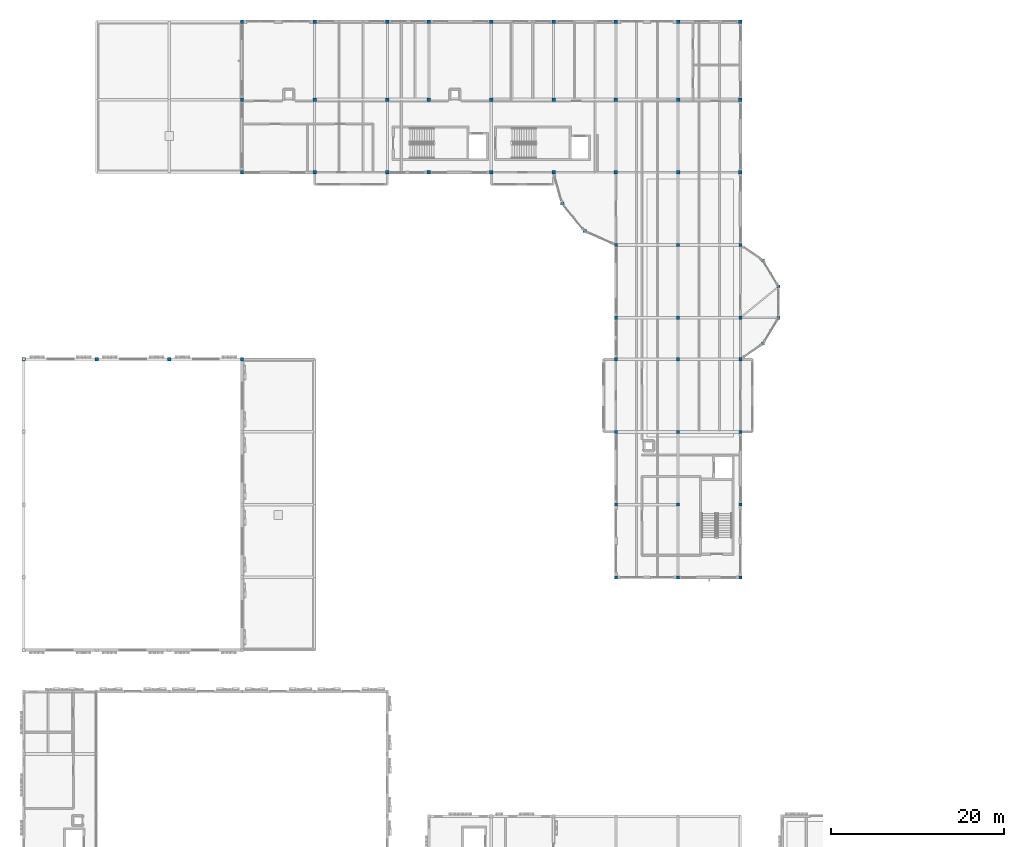
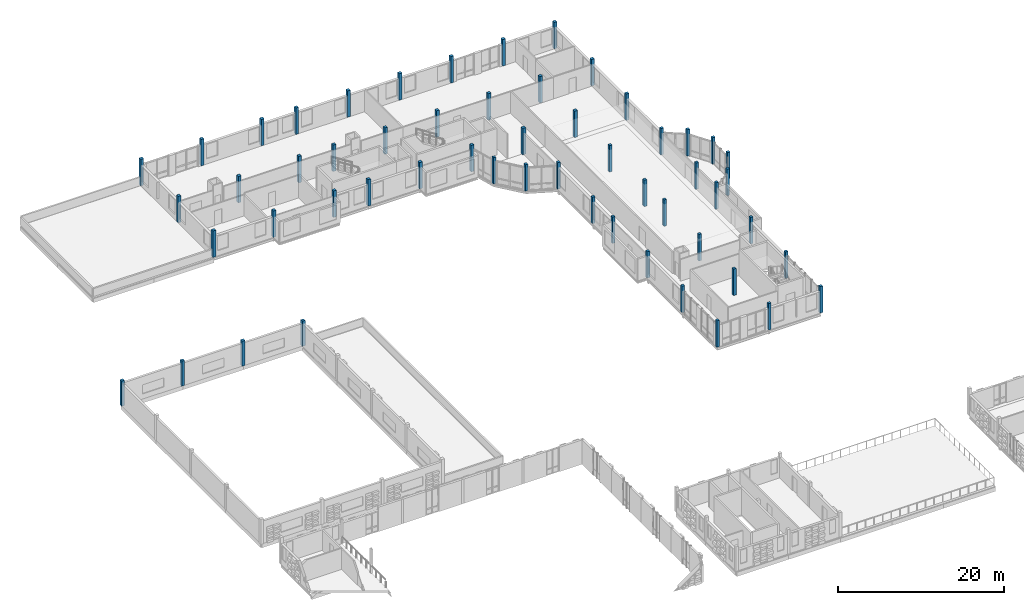
# One storey, part 4 of 57: 55 columns.
"""IFC4 building model written with IfcOpenShell, lengths in metres."""

from ifc_helpers import new_model, si_unit, direction, frame, origin, origin_2d, place, context, subcontext, project, spatial, rectangle, extrude, material, material_profile, profile_set, type_object, element, save


model = new_model("IFC4")

# Units and contexts
model_context = context("Model", 3, precision=1e-05, world=origin(), true_north=direction((0.0, 1.0)))
body_context = subcontext(model_context, "Body", "Model", "MODEL_VIEW")
ifc_project = project(units=[si_unit("LENGTHUNIT", "METRE"), si_unit("AREAUNIT", "SQUARE_METRE"), si_unit("VOLUMEUNIT", "CUBIC_METRE"), si_unit("PLANEANGLEUNIT", "RADIAN"), si_unit("MASSUNIT", "GRAM", prefix="KILO")], contexts=[model_context])

# Site, building, storey
site_placement = place(None, origin())
site = spatial("IfcSite", under=ifc_project, at=site_placement, CompositionType="ELEMENT")
building_placement = place(site_placement, origin())
building = spatial("IfcBuilding", under=site, at=building_placement, Name="Kahlenmark Community Centre", CompositionType="ELEMENT")
storey_placement = place(building_placement, frame((0.0, 0.0, 13.800048828125)))
storey = spatial("IfcBuildingStorey", under=building, at=storey_placement, Name="L03", CompositionType="ELEMENT", Elevation=13.800048828125)

# Columns
ifc_material = material(Name="Glulam GL32h", Category="wood")
ifc_material_profile_1 = material_profile(ifc_material, rectangle(XDim=0.360107421875, YDim=0.360107421875, at=origin_2d()), Name="GL32h 360x360")
ifc_profile_set_1 = profile_set([ifc_material_profile_1], Name="Glulam GL32h")
column_type_1 = type_object("IfcColumnType", Name="CT-GL360", PredefinedType="COLUMN", material=ifc_profile_set_1)
for number, where, z_axis, x_axis, name in (
    (1, (66.199951171875, 94.0, 0.0), (0.0, 0.0, 1.0), (1.0, 0.0, 0.0), "L03 column (66.2, 94.0)"),
    (2, (68.800048828125, 90.800048828125, 0.0), (0.0, 0.0, 1.0), (1.0, 0.0, 0.0), "L03 column (68.8, 90.8)"),
    (3, (72.39990234375, 50.800048828125, 0.0), (0.0, 0.0, 1.0), (1.0, 0.0, 0.0), "L03 column (72.4, 50.8)"),
    (4, (72.39990234375, 59.199951171875, 0.0), (0.0, 0.0, 1.0), (1.0, 0.0, 0.0), "L03 column (72.4, 59.2)"),
    (5, (72.39990234375, 67.60009765625, 0.0), (0.0, 0.0, 1.0), (1.0, 0.0, 0.0), "L03 column (72.4, 67.6)"),
    (6, (72.39990234375, 76.0, 0.0), (0.0, 0.0, 1.0), (1.0, 0.0, 0.0), "L03 column (72.4, 76.0)"),
    (7, (72.39990234375, 80.800048828125, 0.0), (0.0, 0.0, 1.0), (1.0, 0.0, 0.0), "L03 column (72.4, 80.8)"),
    (8, (72.39990234375, 89.199951171875, 0.0), (0.0, 0.0, 1.0), (1.0, 0.0, 0.0), "L03 column (72.4, 89.2)"),
    (9, (79.60009765625, 50.800048828125, 0.0), (0.0, 0.0, 1.0), (1.0, 0.0, 0.0), "L03 column (79.6, 50.8)"),
    (10, (79.60009765625, 59.199951171875, 0.0), (0.0, 0.0, 1.0), (1.0, 0.0, 0.0), "L03 column (79.6, 59.2)"),
    (11, (79.60009765625, 67.60009765625, 0.0), (0.0, 0.0, 1.0), (1.0, 0.0, 0.0), "L03 column (79.6, 67.6)"),
    (12, (79.60009765625, 76.0, 0.0), (0.0, 0.0, 1.0), (1.0, 0.0, 0.0), "L03 column (79.6, 76.0)"),
    (13, (79.60009765625, 80.800048828125, 0.0), (0.0, 0.0, 1.0), (1.0, 0.0, 0.0), "L03 column (79.6, 80.8)"),
    (14, (79.60009765625, 89.199951171875, 0.0), (0.0, 0.0, 1.0), (1.0, 0.0, 0.0), "L03 column (79.6, 89.2)"),
    (15, (86.800048828125, 50.800048828125, 0.0), (0.0, 0.0, 1.0), (1.0, 0.0, 0.0), "L03 column (86.8, 50.8)"),
    (16, (86.800048828125, 59.199951171875, 0.0), (0.0, 0.0, 1.0), (1.0, 0.0, 0.0), "L03 column (86.8, 59.2)"),
    (17, (86.800048828125, 67.60009765625, 0.0), (0.0, 0.0, 1.0), (1.0, 0.0, 0.0), "L03 column (86.8, 67.6)"),
    (18, (86.800048828125, 76.0, 0.0), (0.0, 0.0, 1.0), (1.0, 0.0, 0.0), "L03 column (86.8, 76.0)"),
    (19, (86.800048828125, 80.800048828125, 0.0), (0.0, 0.0, 1.0), (1.0, 0.0, 0.0), "L03 column (86.8, 80.8)"),
    (20, (86.800048828125, 89.199951171875, 0.0), (0.0, 0.0, 1.0), (1.0, 0.0, 0.0), "L03 column (86.8, 89.2)"),
    (21, (89.39990234375, 77.800048828125, 0.0), (0.0, 0.0, 1.0), (1.0, 0.0, 0.0), "L03 column (89.4, 77.8)"),
    (22, (89.39990234375, 87.39990234375, 0.0), (0.0, 0.0, 1.0), (1.0, 0.0, 0.0), "L03 column (89.4, 87.4)"),
    (23, (91.199951171875, 80.800048828125, 0.0), (0.0, 0.0, 1.0), (1.0, 0.0, 0.0), "L03 column (91.2, 80.8)"),
    (24, (91.199951171875, 84.39990234375, 0.0), (0.0, 0.0, 1.0), (1.0, 0.0, 0.0), "L03 column (91.2, 84.4)"),
):
    element("IfcColumn", number, at=place(storey_placement, frame(where, z_axis=z_axis, x_axis=x_axis)), inside=storey, type_object=column_type_1, Name=name, PredefinedType="COLUMN", context=body_context, shape_type="SweptSolid", body=[
        extrude(rectangle(XDim=0.360107421875, YDim=0.360107421875, at=origin_2d()), origin(), (0.0, 0.0, 1.0), 3.89990234375),
    ])
ifc_material_profile_2 = material_profile(ifc_material, rectangle(XDim=0.39990234375, YDim=0.39990234375, at=origin_2d()), Name="GL32h 400x400")
ifc_profile_set_2 = profile_set([ifc_material_profile_2], Name="Glulam GL32h")
column_type_2 = type_object("IfcColumnType", Name="CT-GL400", PredefinedType="COLUMN", material=ifc_profile_set_2)
for number, where, z_axis, x_axis, name in (
    (25, (4.0, 76.0, 0.0), (0.0, 0.0, 1.0), (1.0, 0.0, 0.0), "L03 column (4.0, 76.0)"),
    (26, (12.39990234375, 76.0, 0.0), (0.0, 0.0, 1.0), (1.0, 0.0, 0.0), "L03 column (12.4, 76.0)"),
    (27, (20.800048828125, 76.0, 0.0), (0.0, 0.0, 1.0), (1.0, 0.0, 0.0), "L03 column (20.8, 76.0)"),
    (28, (29.199951171875, 76.0, 0.0), (0.0, 0.0, 1.0), (1.0, 0.0, 0.0), "L03 column (29.2, 76.0)"),
):
    element("IfcColumn", number, at=place(storey_placement, frame(where, z_axis=z_axis, x_axis=x_axis)), inside=storey, type_object=column_type_2, Name=name, PredefinedType="COLUMN", context=body_context, shape_type="SweptSolid", body=[
        extrude(rectangle(XDim=0.39990234375, YDim=0.39990234375, at=origin_2d()), origin(), (0.0, 0.0, 1.0), 3.699951171875),
    ])
for number, where, z_axis, x_axis, name in (
    (29, (29.199951171875, 97.60009765625, 0.0), (0.0, 0.0, 1.0), (1.0, 0.0, 0.0), "L03 column (29.2, 97.6)"),
    (30, (29.199951171875, 106.0, 0.0), (0.0, 0.0, 1.0), (1.0, 0.0, 0.0), "L03 column (29.2, 106.0)"),
    (31, (29.199951171875, 115.0, 0.0), (0.0, 0.0, 1.0), (1.0, 0.0, 0.0), "L03 column (29.2, 115.0)"),
    (32, (37.60009765625, 97.60009765625, 0.0), (0.0, 0.0, 1.0), (1.0, 0.0, 0.0), "L03 column (37.6, 97.6)"),
    (33, (37.60009765625, 106.0, 0.0), (0.0, 0.0, 1.0), (1.0, 0.0, 0.0), "L03 column (37.6, 106.0)"),
    (34, (37.60009765625, 115.0, 0.0), (0.0, 0.0, 1.0), (1.0, 0.0, 0.0), "L03 column (37.6, 115.0)"),
    (35, (46.0, 97.60009765625, 0.0), (0.0, 0.0, 1.0), (1.0, 0.0, 0.0), "L03 column (46.0, 97.6)"),
    (36, (46.0, 106.0, 0.0), (0.0, 0.0, 1.0), (1.0, 0.0, 0.0), "L03 column (46.0, 106.0)"),
    (37, (46.0, 115.0, 0.0), (0.0, 0.0, 1.0), (1.0, 0.0, 0.0), "L03 column (46.0, 115.0)"),
    (38, (50.800048828125, 97.60009765625, 0.0), (0.0, 0.0, 1.0), (1.0, 0.0, 0.0), "L03 column (50.8, 97.6)"),
    (39, (50.800048828125, 106.0, 0.0), (0.0, 0.0, 1.0), (1.0, 0.0, 0.0), "L03 column (50.8, 106.0)"),
    (40, (50.800048828125, 115.0, 0.0), (0.0, 0.0, 1.0), (1.0, 0.0, 0.0), "L03 column (50.8, 115.0)"),
    (41, (58.0, 97.60009765625, 0.0), (0.0, 0.0, 1.0), (1.0, 0.0, 0.0), "L03 column (58.0, 97.6)"),
    (42, (58.0, 106.0, 0.0), (0.0, 0.0, 1.0), (1.0, 0.0, 0.0), "L03 column (58.0, 106.0)"),
    (43, (58.0, 115.0, 0.0), (0.0, 0.0, 1.0), (1.0, 0.0, 0.0), "L03 column (58.0, 115.0)"),
    (44, (65.199951171875, 97.60009765625, 0.0), (0.0, 0.0, 1.0), (1.0, 0.0, 0.0), "L03 column (65.2, 97.6)"),
    (45, (65.199951171875, 106.0, 0.0), (0.0, 0.0, 1.0), (1.0, 0.0, 0.0), "L03 column (65.2, 106.0)"),
    (46, (65.199951171875, 115.0, 0.0), (0.0, 0.0, 1.0), (1.0, 0.0, 0.0), "L03 column (65.2, 115.0)"),
    (47, (72.39990234375, 97.60009765625, 0.0), (0.0, 0.0, 1.0), (1.0, 0.0, 0.0), "L03 column (72.4, 97.6)"),
    (48, (72.39990234375, 106.0, 0.0), (0.0, 0.0, 1.0), (1.0, 0.0, 0.0), "L03 column (72.4, 106.0)"),
    (49, (72.39990234375, 115.0, 0.0), (0.0, 0.0, 1.0), (1.0, 0.0, 0.0), "L03 column (72.4, 115.0)"),
    (50, (79.60009765625, 97.60009765625, 0.0), (0.0, 0.0, 1.0), (1.0, 0.0, 0.0), "L03 column (79.6, 97.6)"),
    (51, (79.60009765625, 106.0, 0.0), (0.0, 0.0, 1.0), (1.0, 0.0, 0.0), "L03 column (79.6, 106.0)"),
    (52, (79.60009765625, 115.0, 0.0), (0.0, 0.0, 1.0), (1.0, 0.0, 0.0), "L03 column (79.6, 115.0)"),
    (53, (86.800048828125, 97.60009765625, 0.0), (0.0, 0.0, 1.0), (1.0, 0.0, 0.0), "L03 column (86.8, 97.6)"),
    (54, (86.800048828125, 106.0, 0.0), (0.0, 0.0, 1.0), (1.0, 0.0, 0.0), "L03 column (86.8, 106.0)"),
    (55, (86.800048828125, 115.0, 0.0), (0.0, 0.0, 1.0), (1.0, 0.0, 0.0), "L03 column (86.8, 115.0)"),
):
    element("IfcColumn", number, at=place(storey_placement, frame(where, z_axis=z_axis, x_axis=x_axis)), inside=storey, type_object=column_type_2, Name=name, PredefinedType="COLUMN", context=body_context, shape_type="SweptSolid", body=[
        extrude(rectangle(XDim=0.39990234375, YDim=0.39990234375, at=origin_2d()), origin(), (0.0, 0.0, 1.0), 3.89990234375),
    ])

save(model, "model.ifc")
